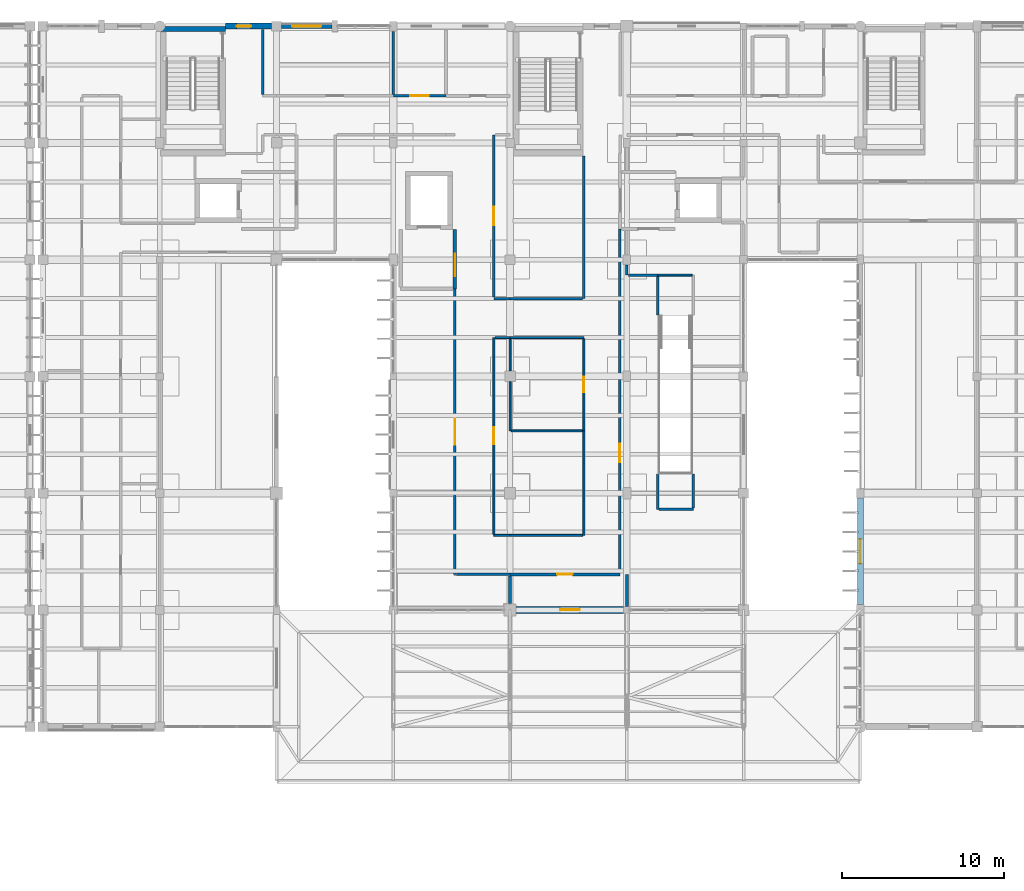
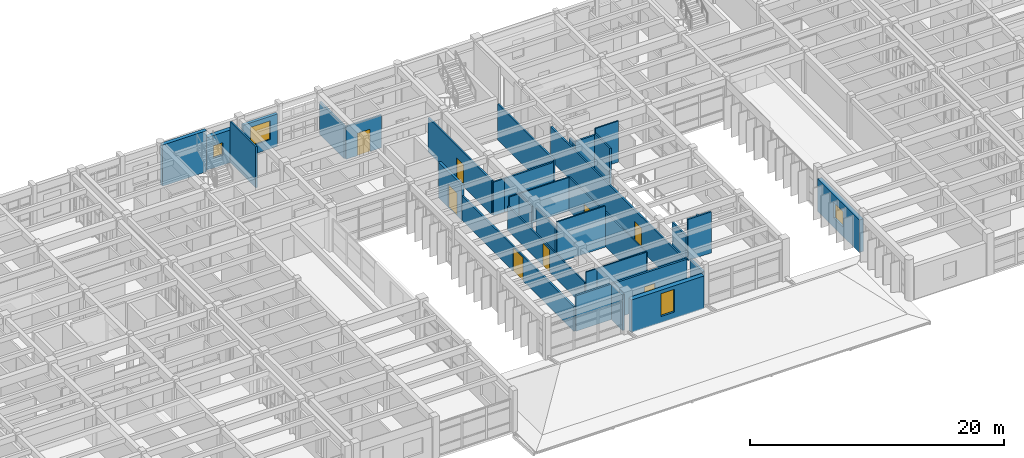
# One storey, part 76 of 100: 36 walls, 8 doors, 4 windows, 12 openings.
"""IFC4 building model written with IfcOpenShell, lengths in metres."""

from ifc_helpers import new_model, si_unit, direction, frame, frame_2d, origin, place, context, subcontext, project, spatial, rectangle, extrude, material, layer, layer_set, type_object, element, fill, save


model = new_model("IFC4")

# Units and contexts
model_context = context("Model", 3, precision=1e-05, world=origin(), true_north=direction((0.0, 1.0)))
body_context = subcontext(model_context, "Body", "Model", "MODEL_VIEW")
ifc_project = project(units=[si_unit("LENGTHUNIT", "METRE"), si_unit("AREAUNIT", "SQUARE_METRE"), si_unit("VOLUMEUNIT", "CUBIC_METRE"), si_unit("PLANEANGLEUNIT", "RADIAN"), si_unit("MASSUNIT", "GRAM", prefix="KILO")], contexts=[model_context])

# Site, building, storey
site_placement = place(None, origin())
site = spatial("IfcSite", under=ifc_project, at=site_placement, CompositionType="ELEMENT")
building_placement = place(site_placement, origin())
building = spatial("IfcBuilding", under=site, at=building_placement, Name="Steenspoor Specialist Clinic", CompositionType="ELEMENT")
storey_placement = place(building_placement, frame((0.0, 0.0, 9.0)))
storey = spatial("IfcBuildingStorey", under=building, at=storey_placement, Name="L02", CompositionType="ELEMENT", Elevation=9.0)

# Wall, opening, window
ifc_material_1 = material(Name="Extruded clay brick masonry", Category="masonry")
ifc_layer_1 = layer(ifc_material_1, 0.3798828125)
ifc_layer_set_1 = layer_set([ifc_layer_1], Name="Extruded clay brick masonry")
wall_type_1 = type_object("IfcWallType", Name="W-BRICK-380", PredefinedType="USERDEFINED", material=ifc_layer_set_1)
wall_1_placement = place(storey_placement, frame((63.64990234375, 108.35009765625, 0.0), z_axis=(0.0, 0.0, 1.0), x_axis=(1.0, 0.0, 0.0)))
wall_1 = element("IfcWall", 1, at=wall_1_placement, inside=storey, type_object=wall_type_1, Name="Exterior Brick Wall EW-V4-L02-0140", ObjectType="CAVITY VENEER", PredefinedType="USERDEFINED", context=body_context, shape_type="SweptSolid", body=[
    extrude(rectangle(XDim=2.85009765625, YDim=0.3798828125, at=frame_2d((1.425048828125, 0.0))), origin(), (0.0, 0.0, 1.0), 3.1298828125),
])
opening_1_placement = place(wall_1_placement, frame((0.68994140625, 0.0, 0.949951171875)))
opening_1 = element("IfcOpeningElement", 2, at=opening_1_placement, cuts=wall_1, Name="Opening WN-21", PredefinedType="OPENING", context=body_context, shape_type="SweptSolid", body=[
    extrude(rectangle(XDim=0.89990234375, YDim=1.199951171875, at=frame_2d((0.449951171875, 0.60009765625))), frame((0.0, 0.199951171875, 0.0), z_axis=(0.0, -1.0, 0.0), x_axis=(1.0, 0.0, 0.0)), (0.0, 0.0, 1.0), 0.39990234375),
])
ifc_material_2 = material(Name="Thermally broken aluminium and low-emissivity glass", Category="aluminium")
window_type_1 = type_object("IfcWindowType", Name="WN-EXT-090X120", PartitioningType="SINGLE_PANEL", PredefinedType="WINDOW", material=ifc_material_2)
window_1_placement = place(opening_1_placement, origin())
window_1 = element("IfcWindow", 3, at=window_1_placement, inside=storey, type_object=window_type_1, Name="Window 0165", OverallHeight=1.199951171875, OverallWidth=0.89990234375, PartitioningType="SINGLE_PANEL", PredefinedType="WINDOW", context=body_context, shape_type="SweptSolid", body=[
    extrude(rectangle(XDim=0.89990234375, YDim=1.199951171875, at=frame_2d((0.449951171875, 0.60009765625))), frame((0.0, 0.030029296875, 0.0), z_axis=(0.0, -1.0, 0.0), x_axis=(1.0, 0.0, 0.0)), (0.0, 0.0, 1.0), 0.06005859375),
])
fill(opening_1, window_1)

wall_2_placement = place(storey_placement, frame((102.800048828125, 72.675048828125, 0.0), z_axis=(0.0, 0.0, 1.0), x_axis=(0.0, 1.0, 0.0)))
wall_2 = element("IfcWall", 4, at=wall_2_placement, inside=storey, type_object=wall_type_1, Name="Exterior Brick Wall EW-V4-L02-0152", ObjectType="CAVITY VENEER", PredefinedType="USERDEFINED", context=body_context, shape_type="SweptSolid", body=[
    extrude(rectangle(XDim=6.574951171875, YDim=0.3798828125, at=frame_2d((3.28759765625, 0.0))), origin(), (0.0, 0.0, 1.0), 3.1298828125),
])
opening_2_placement = place(wall_2_placement, frame((2.53759765625, 0.0, 0.89990234375)))
opening_2 = element("IfcOpeningElement", 5, at=opening_2_placement, cuts=wall_2, Name="Opening WN-12", PredefinedType="OPENING", context=body_context, shape_type="SweptSolid", body=[
    extrude(rectangle(XDim=1.5, YDim=1.5, at=frame_2d((0.75, 0.75))), frame((0.0, 0.199951171875, 0.0), z_axis=(0.0, -1.0, 0.0), x_axis=(1.0, 0.0, 0.0)), (0.0, 0.0, 1.0), 0.39990234375),
])
window_type_2 = type_object("IfcWindowType", Name="WN-EXT-150X150", PartitioningType="SINGLE_PANEL", PredefinedType="WINDOW", material=ifc_material_2)
window_2_placement = place(opening_2_placement, origin())
window_2 = element("IfcWindow", 6, at=window_2_placement, inside=storey, type_object=window_type_2, Name="Window 0178", OverallHeight=1.5, OverallWidth=1.5, PartitioningType="SINGLE_PANEL", PredefinedType="WINDOW", context=body_context, shape_type="SweptSolid", body=[
    extrude(rectangle(XDim=1.5, YDim=1.5, at=frame_2d((0.75, 0.75))), frame((0.0, 0.030029296875, 0.0), z_axis=(0.0, -1.0, 0.0), x_axis=(1.0, 0.0, 0.0)), (0.0, 0.0, 1.0), 0.06005859375),
])
fill(opening_2, window_2)

ifc_layer_2 = layer(ifc_material_1, 0.409912109375)
ifc_layer_set_2 = layer_set([ifc_layer_2], Name="Extruded clay brick masonry")
wall_type_2 = type_object("IfcWallType", Name="W-BRICK-410", PredefinedType="USERDEFINED", material=ifc_layer_set_2)
wall_3_placement = place(storey_placement, frame((88.199951171875, 72.35009765625, 0.0), z_axis=(0.0, 0.0, 1.0), x_axis=(-1.0, 0.0, 0.0)))
wall_3 = element("IfcWall", 7, at=wall_3_placement, inside=storey, type_object=wall_type_2, Name="Exterior Brick Wall EW-V4-L02-0155", ObjectType="CAVITY VENEER", PredefinedType="USERDEFINED", context=body_context, shape_type="SweptSolid", body=[
    extrude(rectangle(XDim=6.625, YDim=0.409912109375, at=frame_2d((3.3125, 0.0))), origin(), (0.0, 0.0, 1.0), 3.1298828125),
])
opening_3_placement = place(wall_3_placement, frame((2.71240234375, 0.0, 0.60009765625)))
opening_3 = element("IfcOpeningElement", 8, at=opening_3_placement, cuts=wall_3, Name="Opening WN-15", PredefinedType="OPENING", context=body_context, shape_type="SweptSolid", body=[
    extrude(rectangle(XDim=1.199951171875, YDim=2.199951171875, at=frame_2d((0.60009765625, 1.10009765625))), frame((0.0, 0.21484375, 0.0), z_axis=(0.0, -1.0, 0.0), x_axis=(1.0, 0.0, 0.0)), (0.0, 0.0, 1.0), 0.429931640625),
])
window_type_3 = type_object("IfcWindowType", Name="WN-EXT-120X220", PartitioningType="SINGLE_PANEL", PredefinedType="WINDOW", material=ifc_material_2)
window_3_placement = place(opening_3_placement, origin())
window_3 = element("IfcWindow", 9, at=window_3_placement, inside=storey, type_object=window_type_3, Name="Window 0181", OverallHeight=2.199951171875, OverallWidth=1.199951171875, PartitioningType="SINGLE_PANEL", PredefinedType="WINDOW", context=body_context, shape_type="SweptSolid", body=[
    extrude(rectangle(XDim=1.199951171875, YDim=2.199951171875, at=frame_2d((0.60009765625, 1.10009765625))), frame((0.0, 0.030029296875, 0.0), z_axis=(0.0, -1.0, 0.0), x_axis=(1.0, 0.0, 0.0)), (0.0, 0.0, 1.0), 0.06005859375),
])
fill(opening_3, window_3)

# Wall, opening, door
ifc_material_3 = material(Name="Gypsum acoustic clinical partition", Category="gypsum")
ifc_layer_3 = layer(ifc_material_3, 0.14990234375)
ifc_layer_set_3 = layer_set([ifc_layer_3], Name="Gypsum acoustic clinical partition")
wall_type_3 = type_object("IfcWallType", Name="W-CLIN-150", PredefinedType="PARTITIONING", material=ifc_layer_set_3)
wall_4_placement = place(storey_placement, frame((77.800048828125, 74.550048828125, 0.0), z_axis=(0.0, 0.0, 1.0), x_axis=(0.0, 1.0, 0.0)))
wall_4 = element("IfcWall", 10, at=wall_4_placement, inside=storey, type_object=wall_type_3, Name="Interior Partition IW-V4-L02-1316", PredefinedType="PARTITIONING", context=body_context, shape_type="SweptSolid", body=[
    extrude(rectangle(XDim=17.5849609375, YDim=0.14990234375, at=frame_2d((8.79248046875, 0.0))), origin(), (0.0, 0.0, 1.0), 2.375),
])
opening_4_placement = place(wall_4_placement, frame((7.992431640625, 0.0, 0.0)))
opening_4 = element("IfcOpeningElement", 11, at=opening_4_placement, cuts=wall_4, Name="Opening D0235", PredefinedType="OPENING", context=body_context, shape_type="SweptSolid", body=[
    extrude(rectangle(XDim=1.60009765625, YDim=2.25, at=frame_2d((0.800048828125, 1.125))), frame((0.0, 0.0849609375, 0.0), z_axis=(0.0, -1.0, 0.0), x_axis=(1.0, 0.0, 0.0)), (0.0, 0.0, 1.0), 0.169921875),
])
ifc_material_4 = material(Name="Hygienic HPL clinical timber door", Category="wood")
door_type_1 = type_object("IfcDoorType", Name="DT-PROC-160X225", OperationType="NOTDEFINED", PredefinedType="DOOR", material=ifc_material_4)
door_1_placement = place(opening_4_placement, origin())
door_1 = element("IfcDoor", 12, at=door_1_placement, inside=storey, type_object=door_type_1, Name="Clinical Door D0235", OperationType="SINGLE_SWING_RIGHT", OverallHeight=2.25, OverallWidth=1.60009765625, PredefinedType="DOOR", context=body_context, shape_type="SweptSolid", body=[
    extrude(rectangle(XDim=1.60009765625, YDim=2.25, at=frame_2d((0.800048828125, 1.125))), frame((0.0, 0.02490234375, 0.0), z_axis=(0.0, -1.0, 0.0), x_axis=(1.0, 0.0, 0.0)), (0.0, 0.0, 1.0), 0.050048828125),
])
fill(opening_4, door_1)

# Wall
wall_5_placement = place(storey_placement, frame((77.889892578125, 74.550048828125, 0.0), z_axis=(0.0, 0.0, 1.0), x_axis=(1.0, 0.0, 0.0)))
element("IfcWall", 13, at=wall_5_placement, inside=storey, type_object=wall_type_3, Name="Interior Partition IW-V4-L02-1317", PredefinedType="PARTITIONING", context=body_context, shape_type="SweptSolid", body=[
    extrude(rectangle(XDim=3.295166015625, YDim=0.14990234375, at=frame_2d((1.6474609375, 0.0))), origin(), (0.0, 0.0, 1.0), 3.4150390625),
])

# Wall, opening, door
wall_6_placement = place(storey_placement, frame((87.969970703125, 74.655029296875, 0.0), z_axis=(0.0, 0.0, 1.0), x_axis=(0.0, 1.0, 0.0)))
wall_6 = element("IfcWall", 14, at=wall_6_placement, inside=storey, type_object=wall_type_3, Name="Interior Partition IW-V4-L02-1318", PredefinedType="PARTITIONING", context=body_context, shape_type="SweptSolid", body=[
    extrude(rectangle(XDim=21.179931640625, YDim=0.14990234375, at=frame_2d((10.58984375, 0.0))), origin(), (0.0, 0.0, 1.0), 3.235107421875),
])
opening_5_placement = place(wall_6_placement, frame((6.810302734375, 0.0, 0.0)))
opening_5 = element("IfcOpeningElement", 15, at=opening_5_placement, cuts=wall_6, Name="Opening D0237", PredefinedType="OPENING", context=body_context, shape_type="SweptSolid", body=[
    extrude(rectangle(XDim=1.14990234375, YDim=2.14990234375, at=frame_2d((0.574951171875, 1.074951171875))), frame((0.0, 0.0849609375, 0.0), z_axis=(0.0, -1.0, 0.0), x_axis=(1.0, 0.0, 0.0)), (0.0, 0.0, 1.0), 0.169921875),
])
ifc_material_5 = material(Name="Solid-core hardwood clinical door", Category="wood")
door_type_2 = type_object("IfcDoorType", Name="DT-CONS-115X215", OperationType="NOTDEFINED", PredefinedType="DOOR", material=ifc_material_5)
door_2_placement = place(opening_5_placement, origin())
door_2 = element("IfcDoor", 16, at=door_2_placement, inside=storey, type_object=door_type_2, Name="Clinical Door D0237", OperationType="SINGLE_SWING_RIGHT", OverallHeight=2.14990234375, OverallWidth=1.14990234375, PredefinedType="DOOR", context=body_context, shape_type="SweptSolid", body=[
    extrude(rectangle(XDim=1.14990234375, YDim=2.14990234375, at=frame_2d((0.574951171875, 1.074951171875))), frame((0.0, 0.02490234375, 0.0), z_axis=(0.0, -1.0, 0.0), x_axis=(1.0, 0.0, 0.0)), (0.0, 0.0, 1.0), 0.050048828125),
])
fill(opening_5, door_2)

# Walls
wall_7_placement = place(storey_placement, frame((85.75, 91.550048828125, 0.0), z_axis=(0.0, 0.0, 1.0), x_axis=(0.0, 1.0, 0.0)))
element("IfcWall", 17, at=wall_7_placement, inside=storey, type_object=wall_type_3, Name="Interior Partition IW-V4-L02-1327", PredefinedType="PARTITIONING", context=body_context, shape_type="SweptSolid", body=[
    extrude(rectangle(XDim=8.800048828125, YDim=0.14990234375, at=frame_2d((4.39990234375, 0.0))), origin(), (0.0, 0.0, 1.0), 3.455078125),
])
wall_8_placement = place(storey_placement, frame((81.199951171875, 91.550048828125, 0.0), z_axis=(0.0, 0.0, 1.0), x_axis=(1.0, 0.0, 0.0)))
element("IfcWall", 18, at=wall_8_placement, inside=storey, type_object=wall_type_3, Name="Interior Partition IW-V4-L02-1328", PredefinedType="PARTITIONING", context=body_context, shape_type="SweptSolid", body=[
    extrude(rectangle(XDim=4.4599609375, YDim=0.14990234375, at=frame_2d((2.22998046875, 0.0))), origin(), (0.0, 0.0, 1.0), 3.215087890625),
])
wall_9_placement = place(storey_placement, frame((80.199951171875, 91.550048828125, 0.0), z_axis=(0.0, 0.0, 1.0), x_axis=(1.0, 0.0, 0.0)))
element("IfcWall", 19, at=wall_9_placement, inside=storey, type_object=wall_type_3, Name="Interior Partition IW-V4-L02-1329", PredefinedType="PARTITIONING", context=body_context, shape_type="SweptSolid", body=[
    extrude(rectangle(XDim=0.985107421875, YDim=0.14990234375, at=frame_2d((0.49267578125, 0.0))), origin(), (0.0, 0.0, 1.0), 3.215087890625),
])

# Wall, opening, door
wall_10_placement = place(storey_placement, frame((80.199951171875, 91.639892578125, 0.0), z_axis=(0.0, 0.0, 1.0), x_axis=(0.0, 1.0, 0.0)))
wall_10 = element("IfcWall", 20, at=wall_10_placement, inside=storey, type_object=wall_type_3, Name="Interior Partition IW-V4-L02-1330", PredefinedType="PARTITIONING", context=body_context, shape_type="SweptSolid", body=[
    extrude(rectangle(XDim=10.010009765625, YDim=0.14990234375, at=frame_2d((5.0048828125, 0.0))), origin(), (0.0, 0.0, 1.0), 3.284912109375),
])
opening_6_placement = place(wall_10_placement, frame((4.429931640625, 0.0, 0.0)))
opening_6 = element("IfcOpeningElement", 21, at=opening_6_placement, cuts=wall_10, Name="Opening D0243", PredefinedType="OPENING", context=body_context, shape_type="SweptSolid", body=[
    extrude(rectangle(XDim=1.14990234375, YDim=2.14990234375, at=frame_2d((0.574951171875, 1.074951171875))), frame((0.0, 0.0849609375, 0.0), z_axis=(0.0, -1.0, 0.0), x_axis=(1.0, 0.0, 0.0)), (0.0, 0.0, 1.0), 0.169921875),
])
door_3_placement = place(opening_6_placement, origin())
door_3 = element("IfcDoor", 22, at=door_3_placement, inside=storey, type_object=door_type_2, Name="Clinical Door D0243", OperationType="SINGLE_SWING_RIGHT", OverallHeight=2.14990234375, OverallWidth=1.14990234375, PredefinedType="DOOR", context=body_context, shape_type="SweptSolid", body=[
    extrude(rectangle(XDim=1.14990234375, YDim=2.14990234375, at=frame_2d((0.574951171875, 1.074951171875))), frame((0.0, 0.02490234375, 0.0), z_axis=(0.0, -1.0, 0.0), x_axis=(1.0, 0.0, 0.0)), (0.0, 0.0, 1.0), 0.050048828125),
])
fill(opening_6, door_3)

# Wall
wall_11_placement = place(storey_placement, frame((65.949951171875, 104.139892578125, 0.0), z_axis=(0.0, 0.0, 1.0), x_axis=(0.0, 1.0, 0.0)))
element("IfcWall", 23, at=wall_11_placement, inside=storey, type_object=wall_type_3, Name="Interior Partition IW-V4-L02-1334", PredefinedType="PARTITIONING", context=body_context, shape_type="SweptSolid", body=[
    extrude(rectangle(XDim=4.005126953125, YDim=0.14990234375, at=frame_2d((2.00244140625, 0.0))), origin(), (0.0, 0.0, 1.0), 3.949951171875),
])

# Wall, opening, door
wall_12_placement = place(storey_placement, frame((74.014892578125, 104.050048828125, 0.0), z_axis=(0.0, 0.0, 1.0), x_axis=(1.0, 0.0, 0.0)))
wall_12 = element("IfcWall", 24, at=wall_12_placement, inside=storey, type_object=wall_type_3, Name="Interior Partition IW-V4-L02-1345", PredefinedType="PARTITIONING", context=body_context, shape_type="SweptSolid", body=[
    extrude(rectangle(XDim=3.22021484375, YDim=0.14990234375, at=frame_2d((1.610107421875, 0.0))), origin(), (0.0, 0.0, 1.0), 3.135009765625),
])
opening_7_placement = place(wall_12_placement, frame((1.034912109375, 0.0, 0.0)))
opening_7 = element("IfcOpeningElement", 25, at=opening_7_placement, cuts=wall_12, Name="Opening D0249", PredefinedType="OPENING", context=body_context, shape_type="SweptSolid", body=[
    extrude(rectangle(XDim=1.14990234375, YDim=2.14990234375, at=frame_2d((0.574951171875, 1.074951171875))), frame((0.0, 0.0849609375, 0.0), z_axis=(0.0, -1.0, 0.0), x_axis=(1.0, 0.0, 0.0)), (0.0, 0.0, 1.0), 0.169921875),
])
door_4_placement = place(opening_7_placement, origin())
door_4 = element("IfcDoor", 26, at=door_4_placement, inside=storey, type_object=door_type_2, Name="Clinical Door D0249", OperationType="SINGLE_SWING_RIGHT", OverallHeight=2.14990234375, OverallWidth=1.14990234375, PredefinedType="DOOR", context=body_context, shape_type="SweptSolid", body=[
    extrude(rectangle(XDim=1.14990234375, YDim=2.14990234375, at=frame_2d((0.574951171875, 1.074951171875))), frame((0.0, 0.02490234375, 0.0), z_axis=(0.0, -1.0, 0.0), x_axis=(1.0, 0.0, 0.0)), (0.0, 0.0, 1.0), 0.050048828125),
])
fill(opening_7, door_4)

# Walls
wall_13_placement = place(storey_placement, frame((90.300048828125, 78.550048828125, 0.0), z_axis=(0.0, 0.0, 1.0), x_axis=(0.0, 1.0, 0.0)))
element("IfcWall", 27, at=wall_13_placement, inside=storey, type_object=wall_type_3, Name="Interior Partition IW-V4-L02-1472", PredefinedType="PARTITIONING", context=body_context, shape_type="SweptSolid", body=[
    extrude(rectangle(XDim=2.199951171875, YDim=0.14990234375, at=frame_2d((1.10009765625, 0.0))), origin(), (0.0, 0.0, 1.0), 2.4150390625),
])
wall_14_placement = place(storey_placement, frame((90.389892578125, 78.550048828125, 0.0), z_axis=(0.0, 0.0, 1.0), x_axis=(1.0, 0.0, 0.0)))
element("IfcWall", 28, at=wall_14_placement, inside=storey, type_object=wall_type_3, Name="Interior Partition IW-V4-L02-1473", PredefinedType="PARTITIONING", context=body_context, shape_type="SweptSolid", body=[
    extrude(rectangle(XDim=2.110107421875, YDim=0.14990234375, at=frame_2d((1.05517578125, 0.0))), origin(), (0.0, 0.0, 1.0), 3.949951171875),
])
wall_15_placement = place(storey_placement, frame((92.5, 78.639892578125, 0.0), z_axis=(0.0, 0.0, 1.0), x_axis=(0.0, 1.0, 0.0)))
element("IfcWall", 29, at=wall_15_placement, inside=storey, type_object=wall_type_3, Name="Interior Partition IW-V4-L02-1474", PredefinedType="PARTITIONING", context=body_context, shape_type="SweptSolid", body=[
    extrude(rectangle(XDim=2.110107421875, YDim=0.14990234375, at=frame_2d((1.05517578125, 0.0))), origin(), (0.0, 0.0, 1.0), 2.4150390625),
])
wall_16_placement = place(storey_placement, frame((88.39990234375, 93.0, 0.0), z_axis=(0.0, 0.0, 1.0), x_axis=(0.0, 1.0, 0.0)))
element("IfcWall", 30, at=wall_16_placement, inside=storey, type_object=wall_type_3, Name="Interior Partition IW-V4-L02-1476", PredefinedType="PARTITIONING", context=body_context, shape_type="SweptSolid", body=[
    extrude(rectangle(XDim=0.635009765625, YDim=0.14990234375, at=frame_2d((0.3173828125, 0.0))), origin(), (0.0, 0.0, 1.0), 3.35498046875),
])
wall_17_placement = place(storey_placement, frame((88.489990234375, 93.0, 0.0), z_axis=(0.0, 0.0, 1.0), x_axis=(1.0, 0.0, 0.0)))
element("IfcWall", 31, at=wall_17_placement, inside=storey, type_object=wall_type_3, Name="Interior Partition IW-V4-L02-1478", PredefinedType="PARTITIONING", context=body_context, shape_type="SweptSolid", body=[
    extrude(rectangle(XDim=1.81005859375, YDim=0.14990234375, at=frame_2d((0.905029296875, 0.0))), origin(), (0.0, 0.0, 1.0), 3.35498046875),
])
wall_18_placement = place(storey_placement, frame((90.300048828125, 90.550048828125, 0.0), z_axis=(0.0, 0.0, 1.0), x_axis=(0.0, 1.0, 0.0)))
element("IfcWall", 32, at=wall_18_placement, inside=storey, type_object=wall_type_3, Name="Interior Partition IW-V4-L02-1479", PredefinedType="PARTITIONING", context=body_context, shape_type="SweptSolid", body=[
    extrude(rectangle(XDim=2.35986328125, YDim=0.14990234375, at=frame_2d((1.179931640625, 0.0))), origin(), (0.0, 0.0, 1.0), 3.514892578125),
])
wall_19_placement = place(storey_placement, frame((74.0, 104.139892578125, 0.0), z_axis=(0.0, 0.0, 1.0), x_axis=(0.0, 1.0, 0.0)))
element("IfcWall", 33, at=wall_19_placement, inside=storey, type_object=wall_type_3, Name="Interior Partition IW-V4-L02-1482", PredefinedType="PARTITIONING", context=body_context, shape_type="SweptSolid", body=[
    extrude(rectangle(XDim=3.89501953125, YDim=0.14990234375, at=frame_2d((1.947509765625, 0.0))), origin(), (0.0, 0.0, 1.0), 3.135009765625),
])
ifc_material_6 = material(Name="Concrete C40/50", Category="concrete")
ifc_layer_4 = layer(ifc_material_6, 0.330078125)
ifc_layer_set_4 = layer_set([ifc_layer_4], Name="Concrete C40/50")
wall_type_4 = type_object("IfcWallType", Name="W-ESW-330", PredefinedType="SHEAR", material=ifc_layer_set_4)
wall_20_placement = place(storey_placement, frame((59.64990234375, 108.175048828125, 0.0), z_axis=(0.0, 0.0, 1.0), x_axis=(1.0, 0.0, 0.0)))
element("IfcWall", 34, at=wall_20_placement, inside=storey, type_object=wall_type_4, Name="Core Shear Wall SW-ST-V4A-L02-N", PredefinedType="SHEAR", context=body_context, shape_type="SweptSolid", body=[
    extrude(rectangle(XDim=4.0, YDim=0.330078125, at=frame_2d((2.0, 0.0))), origin(), (0.0, 0.0, 1.0), 3.949951171875),
])

# Wall, opening, door
ifc_material_7 = material(Name="Fire-rated clay blockwork masonry", Category="masonry")
ifc_layer_5 = layer(ifc_material_7, 0.219970703125)
ifc_layer_set_5 = layer_set([ifc_layer_5], Name="Fire-rated clay blockwork masonry")
wall_type_5 = type_object("IfcWallType", Name="W-FIRE-220", PredefinedType="PARTITIONING", material=ifc_layer_set_5)
wall_21_placement = place(storey_placement, frame((77.800048828125, 92.14990234375, 0.0), z_axis=(0.0, 0.0, 1.0), x_axis=(0.0, 1.0, 0.0)))
wall_21 = element("IfcWall", 35, at=wall_21_placement, inside=storey, type_object=wall_type_5, Name="Interior Partition IW-V4-L02-1235", PredefinedType="PARTITIONING", context=body_context, shape_type="SweptSolid", body=[
    extrude(rectangle(XDim=3.650146484375, YDim=0.219970703125, at=frame_2d((1.8251953125, 0.0))), origin(), (0.0, 0.0, 1.0), 3.4150390625),
])
opening_8_placement = place(wall_21_placement, frame((0.764892578125, 0.0, 0.0)))
opening_8 = element("IfcOpeningElement", 36, at=opening_8_placement, cuts=wall_21, Name="Opening D0227", PredefinedType="OPENING", context=body_context, shape_type="SweptSolid", body=[
    extrude(rectangle(XDim=1.39990234375, YDim=2.199951171875, at=frame_2d((0.699951171875, 1.10009765625))), frame((0.0, 0.1201171875, 0.0), z_axis=(0.0, -1.0, 0.0), x_axis=(1.0, 0.0, 0.0)), (0.0, 0.0, 1.0), 0.239990234375),
])
ifc_material_8 = material(Name="Fire-rated clinical laminate door", Category="steel")
door_type_3 = type_object("IfcDoorType", Name="DT-LAB-140X220", OperationType="NOTDEFINED", PredefinedType="DOOR", material=ifc_material_8)
door_5_placement = place(opening_8_placement, origin())
door_5 = element("IfcDoor", 37, at=door_5_placement, inside=storey, type_object=door_type_3, Name="Lift Lobby Fire Door D0227", OperationType="SINGLE_SWING_RIGHT", OverallHeight=2.199951171875, OverallWidth=1.39990234375, PredefinedType="DOOR", context=body_context, shape_type="SweptSolid", body=[
    extrude(rectangle(XDim=1.39990234375, YDim=2.199951171875, at=frame_2d((0.699951171875, 1.10009765625))), frame((0.0, 0.02490234375, 0.0), z_axis=(0.0, -1.0, 0.0), x_axis=(1.0, 0.0, 0.0)), (0.0, 0.0, 1.0), 0.050048828125),
])
fill(opening_8, door_5)

# Walls
ifc_material_9 = material(Name="Gypsum studio partition board", Category="gypsum")
ifc_layer_6 = layer(ifc_material_9, 0.1201171875)
ifc_layer_set_6 = layer_set([ifc_layer_6], Name="Gypsum studio partition board")
wall_type_6 = type_object("IfcWallType", Name="W-PART-120", PredefinedType="PARTITIONING", material=ifc_layer_set_6)
wall_22_placement = place(storey_placement, frame((85.75, 76.949951171875, 0.0), z_axis=(0.0, 0.0, 1.0), x_axis=(0.0, 1.0, 0.0)))
element("IfcWall", 38, at=wall_22_placement, inside=storey, type_object=wall_type_6, Name="Interior Partition IW-V4-L02-1388", PredefinedType="PARTITIONING", context=body_context, shape_type="SweptSolid", body=[
    extrude(rectangle(XDim=6.449951171875, YDim=0.1201171875, at=frame_2d((3.22509765625, 0.0))), origin(), (0.0, 0.0, 1.0), 3.35498046875),
])
wall_23_placement = place(storey_placement, frame((81.199951171875, 76.949951171875, 0.0), z_axis=(0.0, 0.0, 1.0), x_axis=(1.0, 0.0, 0.0)))
element("IfcWall", 39, at=wall_23_placement, inside=storey, type_object=wall_type_6, Name="Interior Partition IW-V4-L02-1389", PredefinedType="PARTITIONING", context=body_context, shape_type="SweptSolid", body=[
    extrude(rectangle(XDim=4.47509765625, YDim=0.1201171875, at=frame_2d((2.237548828125, 0.0))), origin(), (0.0, 0.0, 1.0), 3.4150390625),
])
wall_24_placement = place(storey_placement, frame((80.199951171875, 76.949951171875, 0.0), z_axis=(0.0, 0.0, 1.0), x_axis=(1.0, 0.0, 0.0)))
element("IfcWall", 40, at=wall_24_placement, inside=storey, type_object=wall_type_6, Name="Interior Partition IW-V4-L02-1390", PredefinedType="PARTITIONING", context=body_context, shape_type="SweptSolid", body=[
    extrude(rectangle(XDim=0.985107421875, YDim=0.1201171875, at=frame_2d((0.49267578125, 0.0))), origin(), (0.0, 0.0, 1.0), 3.4150390625),
])

# Wall, opening, door
wall_25_placement = place(storey_placement, frame((80.199951171875, 77.02490234375, 0.0), z_axis=(0.0, 0.0, 1.0), x_axis=(0.0, 1.0, 0.0)))
wall_25 = element("IfcWall", 41, at=wall_25_placement, inside=storey, type_object=wall_type_6, Name="Interior Partition IW-V4-L02-1391", PredefinedType="PARTITIONING", context=body_context, shape_type="SweptSolid", body=[
    extrude(rectangle(XDim=12.125, YDim=0.1201171875, at=frame_2d((6.0625, 0.0))), origin(), (0.0, 0.0, 1.0), 2.375),
])
opening_9_placement = place(wall_25_placement, frame((5.53759765625, 0.0, 0.0)))
opening_9 = element("IfcOpeningElement", 42, at=opening_9_placement, cuts=wall_25, Name="Opening D0238", PredefinedType="OPENING", context=body_context, shape_type="SweptSolid", body=[
    extrude(rectangle(XDim=1.050048828125, YDim=2.14990234375, at=frame_2d((0.52490234375, 1.074951171875))), frame((0.0, 0.070068359375, 0.0), z_axis=(0.0, -1.0, 0.0), x_axis=(1.0, 0.0, 0.0)), (0.0, 0.0, 1.0), 0.14013671875),
])
ifc_material_10 = material(Name="Solid-core hardwood office door", Category="wood")
door_type_4 = type_object("IfcDoorType", Name="DT-OFF-105X215", OperationType="NOTDEFINED", PredefinedType="DOOR", material=ifc_material_10)
door_6_placement = place(opening_9_placement, origin())
door_6 = element("IfcDoor", 43, at=door_6_placement, inside=storey, type_object=door_type_4, Name="Clinical Door D0238", OperationType="SINGLE_SWING_LEFT", OverallHeight=2.14990234375, OverallWidth=1.050048828125, PredefinedType="DOOR", context=body_context, shape_type="SweptSolid", body=[
    extrude(rectangle(XDim=1.050048828125, YDim=2.14990234375, at=frame_2d((0.52490234375, 1.074951171875))), frame((0.0, 0.02490234375, 0.0), z_axis=(0.0, -1.0, 0.0), x_axis=(1.0, 0.0, 0.0)), (0.0, 0.0, 1.0), 0.050048828125),
])
fill(opening_9, door_6)

# Walls
wall_26_placement = place(storey_placement, frame((80.27490234375, 89.14990234375, 0.0), z_axis=(0.0, 0.0, 1.0), x_axis=(1.0, 0.0, 0.0)))
element("IfcWall", 44, at=wall_26_placement, inside=storey, type_object=wall_type_6, Name="Interior Partition IW-V4-L02-1392", PredefinedType="PARTITIONING", context=body_context, shape_type="SweptSolid", body=[
    extrude(rectangle(XDim=0.925048828125, YDim=0.1201171875, at=frame_2d((0.46240234375, 0.0))), origin(), (0.0, 0.0, 1.0), 3.215087890625),
])
wall_27_placement = place(storey_placement, frame((81.215087890625, 89.14990234375, 0.0), z_axis=(0.0, 0.0, 1.0), x_axis=(1.0, 0.0, 0.0)))
element("IfcWall", 45, at=wall_27_placement, inside=storey, type_object=wall_type_6, Name="Interior Partition IW-V4-L02-1393", PredefinedType="PARTITIONING", context=body_context, shape_type="SweptSolid", body=[
    extrude(rectangle(XDim=4.534912109375, YDim=0.1201171875, at=frame_2d((2.267578125, 0.0))), origin(), (0.0, 0.0, 1.0), 3.215087890625),
])

# Wall, opening, door
wall_28_placement = place(storey_placement, frame((85.75, 83.4150390625, 0.0), z_axis=(0.0, 0.0, 1.0), x_axis=(0.0, 1.0, 0.0)))
wall_28 = element("IfcWall", 46, at=wall_28_placement, inside=storey, type_object=wall_type_6, Name="Interior Partition IW-V4-L02-1394", PredefinedType="PARTITIONING", context=body_context, shape_type="SweptSolid", body=[
    extrude(rectangle(XDim=5.659912109375, YDim=0.1201171875, at=frame_2d((2.830078125, 0.0))), origin(), (0.0, 0.0, 1.0), 3.235107421875),
])
opening_10_placement = place(wall_28_placement, frame((2.35498046875, 0.0, 0.0)))
opening_10 = element("IfcOpeningElement", 47, at=opening_10_placement, cuts=wall_28, Name="Opening D0240", PredefinedType="OPENING", context=body_context, shape_type="SweptSolid", body=[
    extrude(rectangle(XDim=0.949951171875, YDim=2.10009765625, at=frame_2d((0.47509765625, 1.050048828125))), frame((0.0, 0.070068359375, 0.0), z_axis=(0.0, -1.0, 0.0), x_axis=(1.0, 0.0, 0.0)), (0.0, 0.0, 1.0), 0.14013671875),
])
ifc_material_11 = material(Name="Moisture-resistant HPL sanitary door", Category="wood")
door_type_5 = type_object("IfcDoorType", Name="DT-WC-095X210", OperationType="NOTDEFINED", PredefinedType="DOOR", material=ifc_material_11)
door_7_placement = place(opening_10_placement, origin())
door_7 = element("IfcDoor", 48, at=door_7_placement, inside=storey, type_object=door_type_5, Name="Clinical Door D0240", OperationType="SINGLE_SWING_LEFT", OverallHeight=2.10009765625, OverallWidth=0.949951171875, PredefinedType="DOOR", context=body_context, shape_type="SweptSolid", body=[
    extrude(rectangle(XDim=0.949951171875, YDim=2.10009765625, at=frame_2d((0.47509765625, 1.050048828125))), frame((0.0, 0.02490234375, 0.0), z_axis=(0.0, -1.0, 0.0), x_axis=(1.0, 0.0, 0.0)), (0.0, 0.0, 1.0), 0.050048828125),
])
fill(opening_10, door_7)

# Walls
wall_29_placement = place(storey_placement, frame((81.199951171875, 83.39990234375, 0.0), z_axis=(0.0, 0.0, 1.0), x_axis=(0.0, 1.0, 0.0)))
element("IfcWall", 49, at=wall_29_placement, inside=storey, type_object=wall_type_6, Name="Interior Partition IW-V4-L02-1507", PredefinedType="PARTITIONING", context=body_context, shape_type="SweptSolid", body=[
    extrude(rectangle(XDim=3.010009765625, YDim=0.1201171875, at=frame_2d((1.5048828125, 0.0))), origin(), (0.0, 0.0, 1.0), 3.455078125),
])
wall_30_placement = place(storey_placement, frame((81.199951171875, 87.090087890625, 0.0), z_axis=(0.0, 0.0, 1.0), x_axis=(0.0, 1.0, 0.0)))
element("IfcWall", 50, at=wall_30_placement, inside=storey, type_object=wall_type_6, Name="Interior Partition IW-V4-L02-1508", PredefinedType="PARTITIONING", context=body_context, shape_type="SweptSolid", body=[
    extrude(rectangle(XDim=1.98486328125, YDim=0.1201171875, at=frame_2d((0.992431640625, 0.0))), origin(), (0.0, 0.0, 1.0), 3.215087890625),
])
wall_31_placement = place(storey_placement, frame((81.27490234375, 83.39990234375, 0.0), z_axis=(0.0, 0.0, 1.0), x_axis=(1.0, 0.0, 0.0)))
element("IfcWall", 51, at=wall_31_placement, inside=storey, type_object=wall_type_6, Name="Interior Partition IW-V4-L02-1509", PredefinedType="PARTITIONING", context=body_context, shape_type="SweptSolid", body=[
    extrude(rectangle(XDim=4.400146484375, YDim=0.1201171875, at=frame_2d((2.2001953125, 0.0))), origin(), (0.0, 0.0, 1.0), 3.949951171875),
])
wall_32_placement = place(storey_placement, frame((90.31494140625, 93.0, 0.0), z_axis=(0.0, 0.0, 1.0), x_axis=(1.0, 0.0, 0.0)))
element("IfcWall", 52, at=wall_32_placement, inside=storey, type_object=wall_type_6, Name="Interior Partition IW-V4-L02-1511", PredefinedType="PARTITIONING", context=body_context, shape_type="SweptSolid", body=[
    extrude(rectangle(XDim=2.110107421875, YDim=0.1201171875, at=frame_2d((1.05517578125, 0.0))), origin(), (0.0, 0.0, 1.0), 3.949951171875),
])

# Wall, opening, door
ifc_material_12 = material(Name="Moisture-resistant gypsum plumbing wall", Category="gypsum")
ifc_layer_7 = layer(ifc_material_12, 0.179931640625)
ifc_layer_set_7 = layer_set([ifc_layer_7], Name="Moisture-resistant gypsum plumbing wall")
wall_type_7 = type_object("IfcWallType", Name="W-PLUMB-180", PredefinedType="PLUMBINGWALL", material=ifc_layer_set_7)
wall_33_placement = place(storey_placement, frame((81.199951171875, 74.550048828125, 0.0), z_axis=(0.0, 0.0, 1.0), x_axis=(1.0, 0.0, 0.0)))
wall_33 = element("IfcWall", 53, at=wall_33_placement, inside=storey, type_object=wall_type_7, Name="Interior Partition IW-V4-L02-1287", PredefinedType="PLUMBINGWALL", context=body_context, shape_type="SweptSolid", body=[
    extrude(rectangle(XDim=6.77001953125, YDim=0.179931640625, at=frame_2d((3.385009765625, 0.0))), origin(), (0.0, 0.0, 1.0), 3.4150390625),
])
opening_11_placement = place(wall_33_placement, frame((2.909912109375, 0.0, 0.0)))
opening_11 = element("IfcOpeningElement", 54, at=opening_11_placement, cuts=wall_33, Name="Opening D0236", PredefinedType="OPENING", context=body_context, shape_type="SweptSolid", body=[
    extrude(rectangle(XDim=0.949951171875, YDim=2.10009765625, at=frame_2d((0.47509765625, 1.050048828125))), frame((0.0, 0.10009765625, 0.0), z_axis=(0.0, -1.0, 0.0), x_axis=(1.0, 0.0, 0.0)), (0.0, 0.0, 1.0), 0.199951171875),
])
door_8_placement = place(opening_11_placement, origin())
door_8 = element("IfcDoor", 55, at=door_8_placement, inside=storey, type_object=door_type_5, Name="Clinical Door D0236", OperationType="SINGLE_SWING_LEFT", OverallHeight=2.10009765625, OverallWidth=0.949951171875, PredefinedType="DOOR", context=body_context, shape_type="SweptSolid", body=[
    extrude(rectangle(XDim=0.949951171875, YDim=2.10009765625, at=frame_2d((0.47509765625, 1.050048828125))), frame((0.0, 0.02490234375, 0.0), z_axis=(0.0, -1.0, 0.0), x_axis=(1.0, 0.0, 0.0)), (0.0, 0.0, 1.0), 0.050048828125),
])
fill(opening_11, door_8)

# Walls
wall_34_placement = place(storey_placement, frame((81.199951171875, 72.739990234375, 0.0), z_axis=(0.0, 0.0, 1.0), x_axis=(0.0, 1.0, 0.0)))
element("IfcWall", 56, at=wall_34_placement, inside=storey, type_object=wall_type_7, Name="Interior Partition IW-V4-L02-1445", PredefinedType="PLUMBINGWALL", context=body_context, shape_type="SweptSolid", body=[
    extrude(rectangle(XDim=1.705078125, YDim=0.179931640625, at=frame_2d((0.8525390625, 0.0))), origin(), (0.0, 0.0, 1.0), 3.4150390625),
])
wall_35_placement = place(storey_placement, frame((88.39990234375, 72.56494140625, 0.0), z_axis=(0.0, 0.0, 1.0), x_axis=(0.0, 1.0, 0.0)))
element("IfcWall", 57, at=wall_35_placement, inside=storey, type_object=wall_type_7, Name="Interior Partition IW-V4-L02-1446", PredefinedType="PLUMBINGWALL", context=body_context, shape_type="SweptSolid", body=[
    extrude(rectangle(XDim=1.985107421875, YDim=0.179931640625, at=frame_2d((0.99267578125, 0.0))), origin(), (0.0, 0.0, 1.0), 3.235107421875),
])

# Wall, opening, window
ifc_layer_8 = layer(ifc_material_1, 0.260009765625)
ifc_layer_set_8 = layer_set([ifc_layer_8], Name="Extruded clay brick masonry")
wall_type_8 = type_object("IfcWallType", Name="W-SCREEN-260", PredefinedType="SOLIDWALL", material=ifc_layer_set_8)
wall_36_placement = place(storey_placement, frame((67.10009765625, 108.35009765625, 0.0), z_axis=(0.0, 0.0, 1.0), x_axis=(1.0, 0.0, 0.0)))
wall_36 = element("IfcWall", 58, at=wall_36_placement, inside=storey, type_object=wall_type_8, Name="Exterior Brick Wall EW-V4-L02-0141", PredefinedType="SOLIDWALL", context=body_context, shape_type="SweptSolid", body=[
    extrude(rectangle(XDim=3.1298828125, YDim=0.260009765625, at=frame_2d((1.56494140625, 0.0))), origin(), (0.0, 0.0, 1.0), 3.1298828125),
])
opening_12_placement = place(wall_36_placement, frame((0.6650390625, 0.0, 0.89990234375)))
opening_12 = element("IfcOpeningElement", 59, at=opening_12_placement, cuts=wall_36, Name="Opening WN-08", PredefinedType="OPENING", context=body_context, shape_type="SweptSolid", body=[
    extrude(rectangle(XDim=1.800048828125, YDim=1.800048828125, at=frame_2d((0.89990234375, 0.89990234375))), frame((0.0, 0.14013671875, 0.0), z_axis=(0.0, -1.0, 0.0), x_axis=(1.0, 0.0, 0.0)), (0.0, 0.0, 1.0), 0.280029296875),
])
window_type_4 = type_object("IfcWindowType", Name="WN-EXT-180X180", PartitioningType="SINGLE_PANEL", PredefinedType="WINDOW", material=ifc_material_2)
window_4_placement = place(opening_12_placement, origin())
window_4 = element("IfcWindow", 60, at=window_4_placement, inside=storey, type_object=window_type_4, Name="Window 0166", OverallHeight=1.800048828125, OverallWidth=1.800048828125, PartitioningType="SINGLE_PANEL", PredefinedType="WINDOW", context=body_context, shape_type="SweptSolid", body=[
    extrude(rectangle(XDim=1.800048828125, YDim=1.800048828125, at=frame_2d((0.89990234375, 0.89990234375))), frame((0.0, 0.030029296875, 0.0), z_axis=(0.0, -1.0, 0.0), x_axis=(1.0, 0.0, 0.0)), (0.0, 0.0, 1.0), 0.06005859375),
])
fill(opening_12, window_4)

save(model, "model.ifc")
